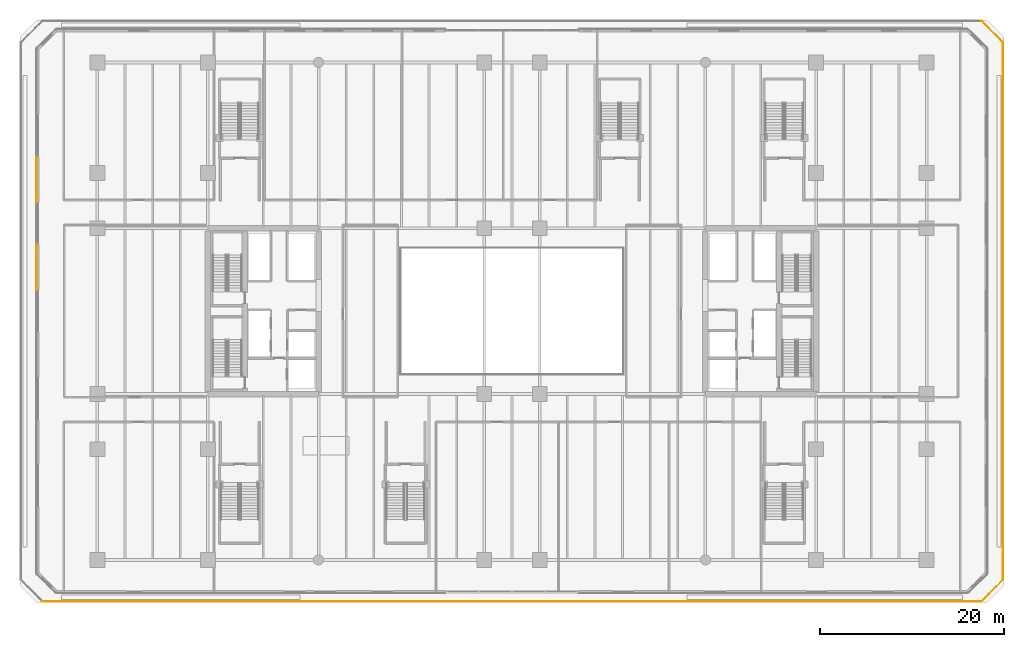
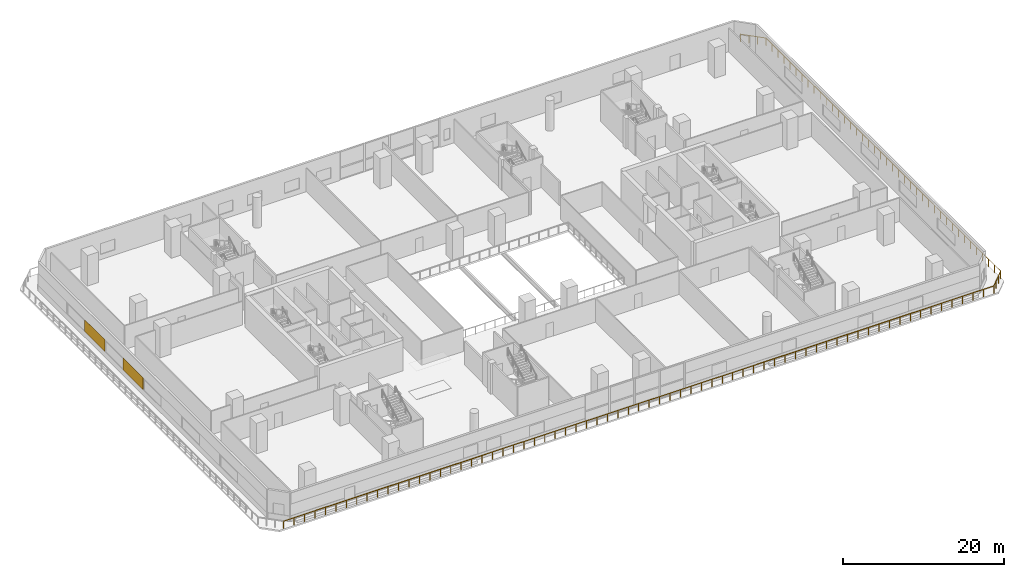
# One storey, part 20 of 27: 2 coverings, 1 railing.
"""IFC4 building model written with IfcOpenShell, lengths in metres."""

from ifc_helpers import new_model, si_unit, direction, frame, origin, origin_2d, place, context, subcontext, project, spatial, rectangle, extrude, material, layer, layer_set, type_object, element, save


model = new_model("IFC4")

# Units and contexts
model_context = context("Model", 3, precision=1e-05, world=origin(), true_north=direction((0.0, 1.0)))
body_context = subcontext(model_context, "Body", "Model", "MODEL_VIEW")
ifc_project = project(units=[si_unit("LENGTHUNIT", "METRE"), si_unit("AREAUNIT", "SQUARE_METRE"), si_unit("VOLUMEUNIT", "CUBIC_METRE"), si_unit("PLANEANGLEUNIT", "RADIAN"), si_unit("MASSUNIT", "GRAM", prefix="KILO")], contexts=[model_context])

# Site, building, storey
site_placement = place(None, origin())
site = spatial("IfcSite", under=ifc_project, at=site_placement, CompositionType="ELEMENT")
building_placement = place(site_placement, origin())
building = spatial("IfcBuilding", under=site, at=building_placement, Name="Tanjung Sevakor Pilgrim Tower", CompositionType="ELEMENT")
storey_placement = place(building_placement, frame((0.0, 0.0, 14.85009765625)))
storey = spatial("IfcBuildingStorey", under=building, at=storey_placement, Name="L04", CompositionType="ELEMENT", Elevation=14.85009765625)

# Coverings
ifc_material_1 = material(Name="Reconstructed Limestone Cladding", Category="masonry")
ifc_layer = layer(ifc_material_1, 0.044921875)
ifc_layer_set = layer_set([ifc_layer], Name="COV-CLAD-LIMESTONE")
covering_type = type_object("IfcCoveringType", Name="COV-CLAD-LIMESTONE", PredefinedType="CLADDING", material=ifc_layer_set)
for number, where, z_axis, x_axis, name in (
    (1, (5.37744140625, 47.85009765625, 0.849853515625), (0.0, 0.0, 1.0), (0.0, -1.0, 0.0), "L04 Warm Limestone Pier Panel EW-L04-MAIN-7-2"),
    (2, (5.37744140625, 38.35009765625, 0.849853515625), (0.0, 0.0, 1.0), (0.0, -1.0, 0.0), "L04 Warm Limestone Pier Panel EW-L04-MAIN-7-3"),
):
    element("IfcCovering", number, at=place(storey_placement, frame(where, z_axis=z_axis, x_axis=x_axis)), inside=storey, type_object=covering_type, Name=name, PredefinedType="CLADDING", context=body_context, shape_type="SweptSolid", body=[
        extrude(rectangle(XDim=5.0, YDim=0.044921875, at=origin_2d()), origin(), (0.0, 0.0, 1.0), 1.81005859375),
    ])

# Railing
ifc_material_2 = material(Name="Steel S355J2", Category="steel")
railing_type = type_object("IfcRailingType", Name="RL-EXT-GUARD", PredefinedType="GUARDRAIL", material=ifc_material_2)
railing_placement = place(storey_placement, frame((6.04150390625, 2.10009765625, 0.0)))
element("IfcRailing", 3, at=railing_placement, inside=storey, type_object=railing_type, Name="L04 Terrace Perimeter Guardrail GR-PODTER-L04-1", PredefinedType="GUARDRAIL", context=body_context, shape_type="SweptSolid", body=[
    extrude(rectangle(XDim=0.0479, YDim=0.0479), frame((0.0, 0.0, 1.1259765625), z_axis=(1.0, 0.0, 0.0), x_axis=(0.0, 1.0, 0.0)), (0.0, 0.0, 1.0), 101.9169921875),
    extrude(rectangle(XDim=0.0479, YDim=0.0479), frame((101.9169921875, 0.0, 1.1259765625), z_axis=(0.707143645185, 0.707069915266, 0.0), x_axis=(-0.707069915266, 0.707143645185, 0.0)), (0.0, 0.0, 1.0), 3.311279296875),
    extrude(rectangle(XDim=0.0479, YDim=0.0479), frame((104.258544921875, 2.34130859375, 1.1259765625), z_axis=(0.0, 1.0, 0.0), x_axis=(-1.0, 0.0, 0.0)), (0.0, 0.0, 1.0), 58.317138671875),
    extrude(rectangle(XDim=0.0479, YDim=0.0479), frame((104.258544921875, 60.658447265625, 1.1259765625), z_axis=(-0.707106781187, 0.707106781187, 0.0), x_axis=(-0.707106781187, -0.707106781187, 0.0)), (0.0, 0.0, 1.0), 3.3115234375),
    extrude(rectangle(XDim=0.042, YDim=0.042), origin(), (0.0, 0.0, 1.0), 1.101806640625),
    extrude(rectangle(XDim=0.042, YDim=0.042), frame((1.498779296875, 0.0, 0.0)), (0.0, 0.0, 1.0), 1.101806640625),
    extrude(rectangle(XDim=0.042, YDim=0.042), frame((2.99755859375, 0.0, 0.0)), (0.0, 0.0, 1.0), 1.101806640625),
    extrude(rectangle(XDim=0.042, YDim=0.042), frame((4.496337890625, 0.0, 0.0)), (0.0, 0.0, 1.0), 1.101806640625),
    extrude(rectangle(XDim=0.042, YDim=0.042), frame((5.9951171875, 0.0, 0.0)), (0.0, 0.0, 1.0), 1.101806640625),
    extrude(rectangle(XDim=0.042, YDim=0.042), frame((7.493896484375, 0.0, 0.0)), (0.0, 0.0, 1.0), 1.101806640625),
    extrude(rectangle(XDim=0.042, YDim=0.042), frame((8.99267578125, 0.0, 0.0)), (0.0, 0.0, 1.0), 1.101806640625),
    extrude(rectangle(XDim=0.042, YDim=0.042), frame((10.491455078125, 0.0, 0.0)), (0.0, 0.0, 1.0), 1.101806640625),
    extrude(rectangle(XDim=0.042, YDim=0.042), frame((11.990234375, 0.0, 0.0)), (0.0, 0.0, 1.0), 1.101806640625),
    extrude(rectangle(XDim=0.042, YDim=0.042), frame((13.489013671875, 0.0, 0.0)), (0.0, 0.0, 1.0), 1.101806640625),
    extrude(rectangle(XDim=0.042, YDim=0.042), frame((14.98779296875, 0.0, 0.0)), (0.0, 0.0, 1.0), 1.101806640625),
    extrude(rectangle(XDim=0.042, YDim=0.042), frame((16.486572265625, 0.0, 0.0)), (0.0, 0.0, 1.0), 1.101806640625),
    extrude(rectangle(XDim=0.042, YDim=0.042), frame((17.9853515625, 0.0, 0.0)), (0.0, 0.0, 1.0), 1.101806640625),
    extrude(rectangle(XDim=0.042, YDim=0.042), frame((19.484130859375, 0.0, 0.0)), (0.0, 0.0, 1.0), 1.101806640625),
    extrude(rectangle(XDim=0.042, YDim=0.042), frame((20.98291015625, 0.0, 0.0)), (0.0, 0.0, 1.0), 1.101806640625),
    extrude(rectangle(XDim=0.042, YDim=0.042), frame((22.481689453125, 0.0, 0.0)), (0.0, 0.0, 1.0), 1.101806640625),
    extrude(rectangle(XDim=0.042, YDim=0.042), frame((23.98046875, 0.0, 0.0)), (0.0, 0.0, 1.0), 1.101806640625),
    extrude(rectangle(XDim=0.042, YDim=0.042), frame((25.479248046875, 0.0, 0.0)), (0.0, 0.0, 1.0), 1.101806640625),
    extrude(rectangle(XDim=0.042, YDim=0.042), frame((26.97802734375, 0.0, 0.0)), (0.0, 0.0, 1.0), 1.101806640625),
    extrude(rectangle(XDim=0.042, YDim=0.042), frame((28.476806640625, 0.0, 0.0)), (0.0, 0.0, 1.0), 1.101806640625),
    extrude(rectangle(XDim=0.042, YDim=0.042), frame((29.9755859375, 0.0, 0.0)), (0.0, 0.0, 1.0), 1.101806640625),
    extrude(rectangle(XDim=0.042, YDim=0.042), frame((31.474365234375, 0.0, 0.0)), (0.0, 0.0, 1.0), 1.101806640625),
    extrude(rectangle(XDim=0.042, YDim=0.042), frame((32.97314453125, 0.0, 0.0)), (0.0, 0.0, 1.0), 1.101806640625),
    extrude(rectangle(XDim=0.042, YDim=0.042), frame((34.471923828125, 0.0, 0.0)), (0.0, 0.0, 1.0), 1.101806640625),
    extrude(rectangle(XDim=0.042, YDim=0.042), frame((35.970703125, 0.0, 0.0)), (0.0, 0.0, 1.0), 1.101806640625),
    extrude(rectangle(XDim=0.042, YDim=0.042), frame((37.469482421875, 0.0, 0.0)), (0.0, 0.0, 1.0), 1.101806640625),
    extrude(rectangle(XDim=0.042, YDim=0.042), frame((38.96826171875, 0.0, 0.0)), (0.0, 0.0, 1.0), 1.101806640625),
    extrude(rectangle(XDim=0.042, YDim=0.042), frame((40.467041015625, 0.0, 0.0)), (0.0, 0.0, 1.0), 1.101806640625),
    extrude(rectangle(XDim=0.042, YDim=0.042), frame((41.9658203125, 0.0, 0.0)), (0.0, 0.0, 1.0), 1.101806640625),
    extrude(rectangle(XDim=0.042, YDim=0.042), frame((43.464599609375, 0.0, 0.0)), (0.0, 0.0, 1.0), 1.101806640625),
    extrude(rectangle(XDim=0.042, YDim=0.042), frame((44.96337890625, 0.0, 0.0)), (0.0, 0.0, 1.0), 1.101806640625),
    extrude(rectangle(XDim=0.042, YDim=0.042), frame((46.462158203125, 0.0, 0.0)), (0.0, 0.0, 1.0), 1.101806640625),
    extrude(rectangle(XDim=0.042, YDim=0.042), frame((47.9609375, 0.0, 0.0)), (0.0, 0.0, 1.0), 1.101806640625),
    extrude(rectangle(XDim=0.042, YDim=0.042), frame((49.459716796875, 0.0, 0.0)), (0.0, 0.0, 1.0), 1.101806640625),
    extrude(rectangle(XDim=0.042, YDim=0.042), frame((50.95849609375, 0.0, 0.0)), (0.0, 0.0, 1.0), 1.101806640625),
    extrude(rectangle(XDim=0.042, YDim=0.042), frame((52.457275390625, 0.0, 0.0)), (0.0, 0.0, 1.0), 1.101806640625),
    extrude(rectangle(XDim=0.042, YDim=0.042), frame((53.9560546875, 0.0, 0.0)), (0.0, 0.0, 1.0), 1.101806640625),
    extrude(rectangle(XDim=0.042, YDim=0.042), frame((55.454833984375, 0.0, 0.0)), (0.0, 0.0, 1.0), 1.101806640625),
    extrude(rectangle(XDim=0.042, YDim=0.042), frame((56.95361328125, 0.0, 0.0)), (0.0, 0.0, 1.0), 1.101806640625),
    extrude(rectangle(XDim=0.042, YDim=0.042), frame((58.452392578125, 0.0, 0.0)), (0.0, 0.0, 1.0), 1.101806640625),
    extrude(rectangle(XDim=0.042, YDim=0.042), frame((59.951171875, 0.0, 0.0)), (0.0, 0.0, 1.0), 1.101806640625),
    extrude(rectangle(XDim=0.042, YDim=0.042), frame((61.449951171875, 0.0, 0.0)), (0.0, 0.0, 1.0), 1.101806640625),
    extrude(rectangle(XDim=0.042, YDim=0.042), frame((62.94873046875, 0.0, 0.0)), (0.0, 0.0, 1.0), 1.101806640625),
    extrude(rectangle(XDim=0.042, YDim=0.042), frame((64.447509765625, 0.0, 0.0)), (0.0, 0.0, 1.0), 1.101806640625),
    extrude(rectangle(XDim=0.042, YDim=0.042), frame((65.9462890625, 0.0, 0.0)), (0.0, 0.0, 1.0), 1.101806640625),
    extrude(rectangle(XDim=0.042, YDim=0.042), frame((67.445068359375, 0.0, 0.0)), (0.0, 0.0, 1.0), 1.101806640625),
    extrude(rectangle(XDim=0.042, YDim=0.042), frame((68.94384765625, 0.0, 0.0)), (0.0, 0.0, 1.0), 1.101806640625),
    extrude(rectangle(XDim=0.042, YDim=0.042), frame((70.442626953125, 0.0, 0.0)), (0.0, 0.0, 1.0), 1.101806640625),
    extrude(rectangle(XDim=0.042, YDim=0.042), frame((71.94140625, 0.0, 0.0)), (0.0, 0.0, 1.0), 1.101806640625),
    extrude(rectangle(XDim=0.042, YDim=0.042), frame((73.440185546875, 0.0, 0.0)), (0.0, 0.0, 1.0), 1.101806640625),
    extrude(rectangle(XDim=0.042, YDim=0.042), frame((74.93896484375, 0.0, 0.0)), (0.0, 0.0, 1.0), 1.101806640625),
    extrude(rectangle(XDim=0.042, YDim=0.042), frame((76.437744140625, 0.0, 0.0)), (0.0, 0.0, 1.0), 1.101806640625),
    extrude(rectangle(XDim=0.042, YDim=0.042), frame((77.9365234375, 0.0, 0.0)), (0.0, 0.0, 1.0), 1.101806640625),
    extrude(rectangle(XDim=0.042, YDim=0.042), frame((79.435302734375, 0.0, 0.0)), (0.0, 0.0, 1.0), 1.101806640625),
    extrude(rectangle(XDim=0.042, YDim=0.042), frame((80.93408203125, 0.0, 0.0)), (0.0, 0.0, 1.0), 1.101806640625),
    extrude(rectangle(XDim=0.042, YDim=0.042), frame((82.432861328125, 0.0, 0.0)), (0.0, 0.0, 1.0), 1.101806640625),
    extrude(rectangle(XDim=0.042, YDim=0.042), frame((83.931640625, 0.0, 0.0)), (0.0, 0.0, 1.0), 1.101806640625),
    extrude(rectangle(XDim=0.042, YDim=0.042), frame((85.430419921875, 0.0, 0.0)), (0.0, 0.0, 1.0), 1.101806640625),
    extrude(rectangle(XDim=0.042, YDim=0.042), frame((86.92919921875, 0.0, 0.0)), (0.0, 0.0, 1.0), 1.101806640625),
    extrude(rectangle(XDim=0.042, YDim=0.042), frame((88.427978515625, 0.0, 0.0)), (0.0, 0.0, 1.0), 1.101806640625),
    extrude(rectangle(XDim=0.042, YDim=0.042), frame((89.9267578125, 0.0, 0.0)), (0.0, 0.0, 1.0), 1.101806640625),
    extrude(rectangle(XDim=0.042, YDim=0.042), frame((91.425537109375, 0.0, 0.0)), (0.0, 0.0, 1.0), 1.101806640625),
    extrude(rectangle(XDim=0.042, YDim=0.042), frame((92.92431640625, 0.0, 0.0)), (0.0, 0.0, 1.0), 1.101806640625),
    extrude(rectangle(XDim=0.042, YDim=0.042), frame((94.423095703125, 0.0, 0.0)), (0.0, 0.0, 1.0), 1.101806640625),
    extrude(rectangle(XDim=0.042, YDim=0.042), frame((95.921875, 0.0, 0.0)), (0.0, 0.0, 1.0), 1.101806640625),
    extrude(rectangle(XDim=0.042, YDim=0.042), frame((97.420654296875, 0.0, 0.0)), (0.0, 0.0, 1.0), 1.101806640625),
    extrude(rectangle(XDim=0.042, YDim=0.042), frame((98.91943359375, 0.0, 0.0)), (0.0, 0.0, 1.0), 1.101806640625),
    extrude(rectangle(XDim=0.042, YDim=0.042), frame((100.418212890625, 0.0, 0.0)), (0.0, 0.0, 1.0), 1.101806640625),
    extrude(rectangle(XDim=0.042, YDim=0.042), frame((101.9169921875, 0.0, 0.0)), (0.0, 0.0, 1.0), 1.101806640625),
    extrude(rectangle(XDim=0.042, YDim=0.042), frame((102.697509765625, 0.780517578125, 0.0)), (0.0, 0.0, 1.0), 1.101806640625),
    extrude(rectangle(XDim=0.042, YDim=0.042), frame((103.47802734375, 1.560791015625, 0.0)), (0.0, 0.0, 1.0), 1.101806640625),
    extrude(rectangle(XDim=0.042, YDim=0.042), frame((104.258544921875, 2.34130859375, 0.0)), (0.0, 0.0, 1.0), 1.101806640625),
    extrude(rectangle(XDim=0.042, YDim=0.042), frame((104.258544921875, 3.836669921875, 0.0)), (0.0, 0.0, 1.0), 1.101806640625),
    extrude(rectangle(XDim=0.042, YDim=0.042), frame((104.258544921875, 5.33203125, 0.0)), (0.0, 0.0, 1.0), 1.101806640625),
    extrude(rectangle(XDim=0.042, YDim=0.042), frame((104.258544921875, 6.8271484375, 0.0)), (0.0, 0.0, 1.0), 1.101806640625),
    extrude(rectangle(XDim=0.042, YDim=0.042), frame((104.258544921875, 8.322509765625, 0.0)), (0.0, 0.0, 1.0), 1.101806640625),
    extrude(rectangle(XDim=0.042, YDim=0.042), frame((104.258544921875, 9.81787109375, 0.0)), (0.0, 0.0, 1.0), 1.101806640625),
    extrude(rectangle(XDim=0.042, YDim=0.042), frame((104.258544921875, 11.313232421875, 0.0)), (0.0, 0.0, 1.0), 1.101806640625),
    extrude(rectangle(XDim=0.042, YDim=0.042), frame((104.258544921875, 12.80859375, 0.0)), (0.0, 0.0, 1.0), 1.101806640625),
    extrude(rectangle(XDim=0.042, YDim=0.042), frame((104.258544921875, 14.3037109375, 0.0)), (0.0, 0.0, 1.0), 1.101806640625),
    extrude(rectangle(XDim=0.042, YDim=0.042), frame((104.258544921875, 15.799072265625, 0.0)), (0.0, 0.0, 1.0), 1.101806640625),
    extrude(rectangle(XDim=0.042, YDim=0.042), frame((104.258544921875, 17.29443359375, 0.0)), (0.0, 0.0, 1.0), 1.101806640625),
    extrude(rectangle(XDim=0.042, YDim=0.042), frame((104.258544921875, 18.789794921875, 0.0)), (0.0, 0.0, 1.0), 1.101806640625),
    extrude(rectangle(XDim=0.042, YDim=0.042), frame((104.258544921875, 20.28515625, 0.0)), (0.0, 0.0, 1.0), 1.101806640625),
    extrude(rectangle(XDim=0.042, YDim=0.042), frame((104.258544921875, 21.7802734375, 0.0)), (0.0, 0.0, 1.0), 1.101806640625),
    extrude(rectangle(XDim=0.042, YDim=0.042), frame((104.258544921875, 23.275634765625, 0.0)), (0.0, 0.0, 1.0), 1.101806640625),
    extrude(rectangle(XDim=0.042, YDim=0.042), frame((104.258544921875, 24.77099609375, 0.0)), (0.0, 0.0, 1.0), 1.101806640625),
    extrude(rectangle(XDim=0.042, YDim=0.042), frame((104.258544921875, 26.266357421875, 0.0)), (0.0, 0.0, 1.0), 1.101806640625),
    extrude(rectangle(XDim=0.042, YDim=0.042), frame((104.258544921875, 27.76171875, 0.0)), (0.0, 0.0, 1.0), 1.101806640625),
    extrude(rectangle(XDim=0.042, YDim=0.042), frame((104.258544921875, 29.2568359375, 0.0)), (0.0, 0.0, 1.0), 1.101806640625),
    extrude(rectangle(XDim=0.042, YDim=0.042), frame((104.258544921875, 30.752197265625, 0.0)), (0.0, 0.0, 1.0), 1.101806640625),
    extrude(rectangle(XDim=0.042, YDim=0.042), frame((104.258544921875, 32.24755859375, 0.0)), (0.0, 0.0, 1.0), 1.101806640625),
    extrude(rectangle(XDim=0.042, YDim=0.042), frame((104.258544921875, 33.742919921875, 0.0)), (0.0, 0.0, 1.0), 1.101806640625),
    extrude(rectangle(XDim=0.042, YDim=0.042), frame((104.258544921875, 35.238037109375, 0.0)), (0.0, 0.0, 1.0), 1.101806640625),
    extrude(rectangle(XDim=0.042, YDim=0.042), frame((104.258544921875, 36.7333984375, 0.0)), (0.0, 0.0, 1.0), 1.101806640625),
    extrude(rectangle(XDim=0.042, YDim=0.042), frame((104.258544921875, 38.228759765625, 0.0)), (0.0, 0.0, 1.0), 1.101806640625),
    extrude(rectangle(XDim=0.042, YDim=0.042), frame((104.258544921875, 39.72412109375, 0.0)), (0.0, 0.0, 1.0), 1.101806640625),
    extrude(rectangle(XDim=0.042, YDim=0.042), frame((104.258544921875, 41.219482421875, 0.0)), (0.0, 0.0, 1.0), 1.101806640625),
    extrude(rectangle(XDim=0.042, YDim=0.042), frame((104.258544921875, 42.714599609375, 0.0)), (0.0, 0.0, 1.0), 1.101806640625),
    extrude(rectangle(XDim=0.042, YDim=0.042), frame((104.258544921875, 44.2099609375, 0.0)), (0.0, 0.0, 1.0), 1.101806640625),
    extrude(rectangle(XDim=0.042, YDim=0.042), frame((104.258544921875, 45.705322265625, 0.0)), (0.0, 0.0, 1.0), 1.101806640625),
    extrude(rectangle(XDim=0.042, YDim=0.042), frame((104.258544921875, 47.20068359375, 0.0)), (0.0, 0.0, 1.0), 1.101806640625),
    extrude(rectangle(XDim=0.042, YDim=0.042), frame((104.258544921875, 48.696044921875, 0.0)), (0.0, 0.0, 1.0), 1.101806640625),
    extrude(rectangle(XDim=0.042, YDim=0.042), frame((104.258544921875, 50.191162109375, 0.0)), (0.0, 0.0, 1.0), 1.101806640625),
    extrude(rectangle(XDim=0.042, YDim=0.042), frame((104.258544921875, 51.6865234375, 0.0)), (0.0, 0.0, 1.0), 1.101806640625),
    extrude(rectangle(XDim=0.042, YDim=0.042), frame((104.258544921875, 53.181884765625, 0.0)), (0.0, 0.0, 1.0), 1.101806640625),
    extrude(rectangle(XDim=0.042, YDim=0.042), frame((104.258544921875, 54.67724609375, 0.0)), (0.0, 0.0, 1.0), 1.101806640625),
    extrude(rectangle(XDim=0.042, YDim=0.042), frame((104.258544921875, 56.172607421875, 0.0)), (0.0, 0.0, 1.0), 1.101806640625),
    extrude(rectangle(XDim=0.042, YDim=0.042), frame((104.258544921875, 57.667724609375, 0.0)), (0.0, 0.0, 1.0), 1.101806640625),
    extrude(rectangle(XDim=0.042, YDim=0.042), frame((104.258544921875, 59.1630859375, 0.0)), (0.0, 0.0, 1.0), 1.101806640625),
    extrude(rectangle(XDim=0.042, YDim=0.042), frame((104.258544921875, 60.658447265625, 0.0)), (0.0, 0.0, 1.0), 1.101806640625),
    extrude(rectangle(XDim=0.042, YDim=0.042), frame((103.47802734375, 61.43896484375, 0.0)), (0.0, 0.0, 1.0), 1.101806640625),
    extrude(rectangle(XDim=0.042, YDim=0.042), frame((102.697509765625, 62.219482421875, 0.0)), (0.0, 0.0, 1.0), 1.101806640625),
    extrude(rectangle(XDim=0.042, YDim=0.042), frame((101.9169921875, 63.0, 0.0)), (0.0, 0.0, 1.0), 1.101806640625),
])

save(model, "model.ifc")
